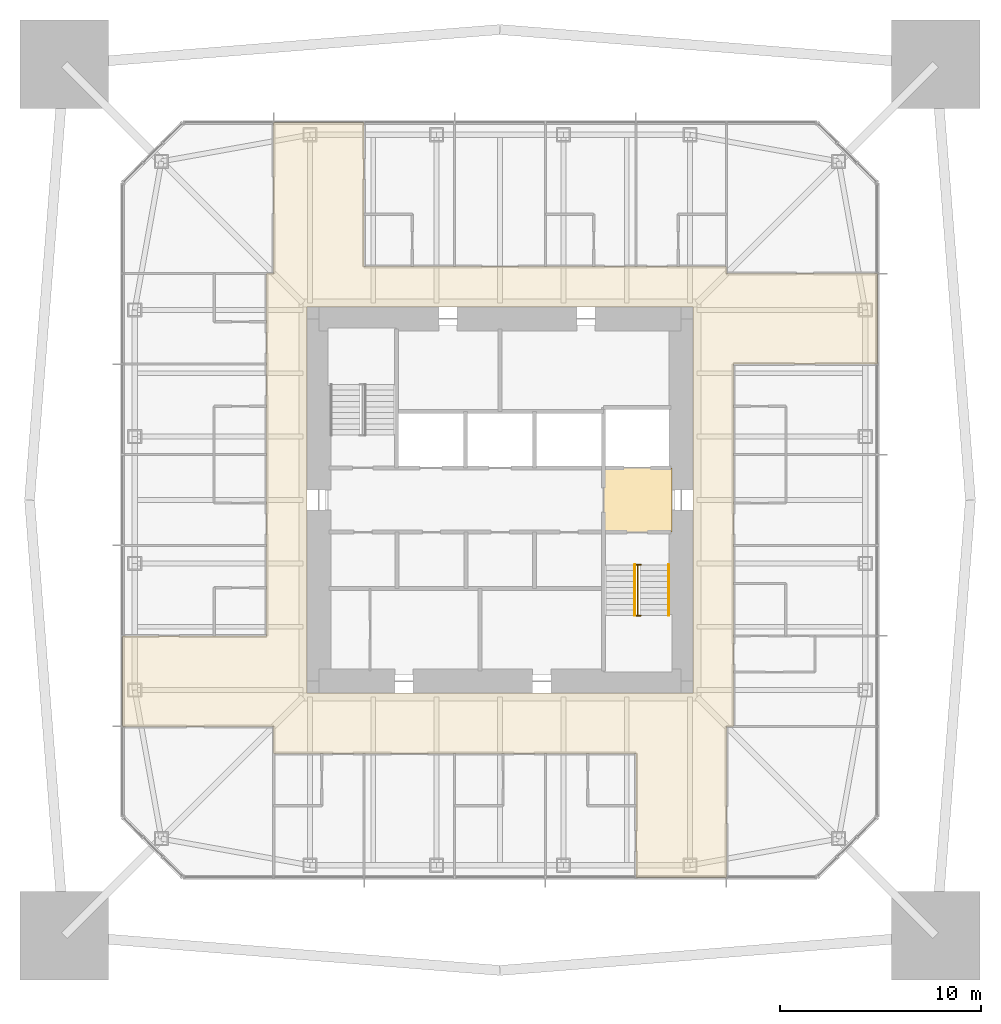
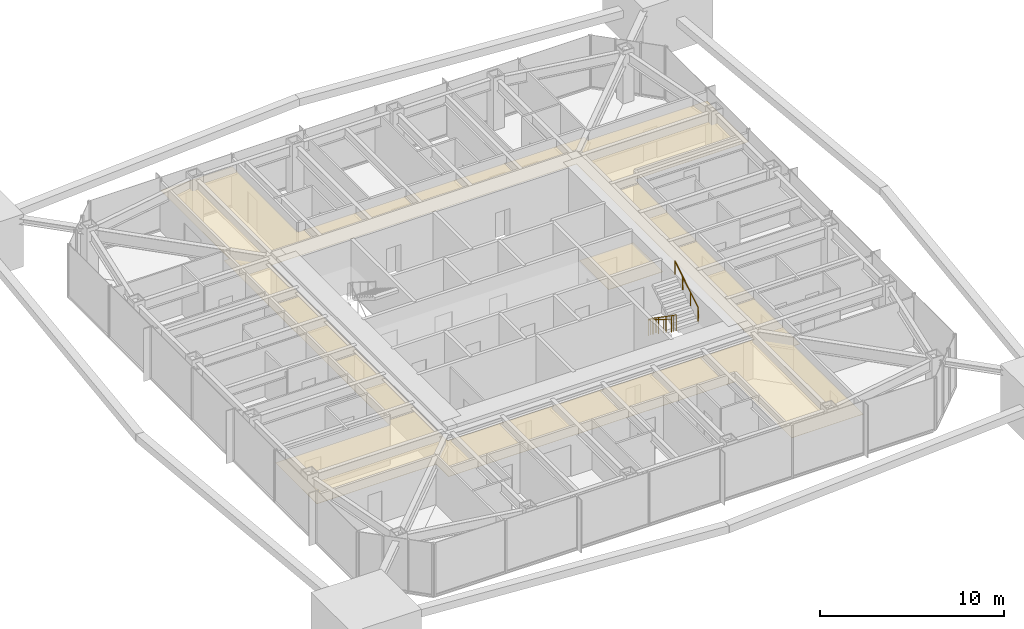
# One storey, part 12 of 13: 3 railings, 2 coverings.
"""IFC4 building model written with IfcOpenShell, lengths in metres."""

from ifc_helpers import new_model, si_unit, direction, frame, origin, origin_2d, place, context, subcontext, project, spatial, polyline, circle, outline, extrude, material, layer, layer_set, constituent, constituent_set, type_object, element, save


model = new_model("IFC4")

# Units and contexts
model_context = context("Model", 3, precision=1e-05, world=origin(), true_north=direction((0.0, 1.0)))
body_context = subcontext(model_context, "Body", "Model", "MODEL_VIEW")
ifc_project = project(units=[si_unit("LENGTHUNIT", "METRE"), si_unit("AREAUNIT", "SQUARE_METRE"), si_unit("VOLUMEUNIT", "CUBIC_METRE"), si_unit("PLANEANGLEUNIT", "RADIAN"), si_unit("MASSUNIT", "GRAM", prefix="KILO")], contexts=[model_context])

# Site, building, storey
site_placement = place(None, origin())
site = spatial("IfcSite", under=ifc_project, at=site_placement, CompositionType="ELEMENT")
building_placement = place(site_placement, origin())
building = spatial("IfcBuilding", under=site, at=building_placement, Name="Iwan Alto Co-Living Towers", CompositionType="ELEMENT")
storey_placement = place(building_placement, frame((0.0, 0.0, 160.0)))
storey = spatial("IfcBuildingStorey", under=building, at=storey_placement, Name="L43", CompositionType="ELEMENT", Elevation=160.0)

# Covering
ifc_material_1 = material(Name="Mineral fibre acoustic tiles on steel grid", Category="steel")
ifc_layer_1 = layer(ifc_material_1, 0.02001953125)
ifc_layer_set_1 = layer_set([ifc_layer_1], Name="ACOUSTIC TILE CEILING 20")
covering_type_1 = type_object("IfcCoveringType", Name="ACOUSTIC TILE CEILING 20", PredefinedType="CEILING", material=ifc_layer_set_1)
covering_1_placement = place(storey_placement, frame((0.0, 0.0, 2.60009765625)))
element("IfcCovering", 1, at=covering_1_placement, inside=storey, type_object=covering_type_1, Name="Ceiling Firefighting lobby L43", PredefinedType="CEILING", context=body_context, shape_type="SweptSolid", body=[
    extrude(outline(polyline([(5.14990234375, -1.60009765625), (5.14990234375, 1.60009765625), (8.550048828125, 1.60009765625), (8.550048828125, -1.60009765625), (5.14990234375, -1.60009765625)])), origin(), (0.0, 0.0, 1.0), 0.02001953125),
])

# Railings
ifc_material_2 = material(Name="Steel ASTM A500 Gr C", Category="steel")
ifc_constituent_1 = constituent(ifc_material_2, Name="Rails and posts", Category="Framing")
ifc_material_3 = material(Name="Steel ASTM A36", Category="steel")
ifc_constituent_2 = constituent(ifc_material_3, Name="Bar infill", Category="Infill")
ifc_constituent_set = constituent_set(constituents=[ifc_constituent_1, ifc_constituent_2], Name="STAIR GUARD 1100")
railing_type_1 = type_object("IfcRailingType", Name="STAIR GUARD 1100", PredefinedType="GUARDRAIL", material=ifc_constituent_set)
railing_1_placement = place(storey_placement, frame((6.85009765625, -3.219970703125, 0.0)))
element("IfcRailing", 2, at=railing_1_placement, inside=storey, type_object=railing_type_1, Name="Stair T1-S2 well guard L43", PredefinedType="GUARDRAIL", context=body_context, shape_type="SweptSolid", body=[
    extrude(circle(Radius=0.02392578125, at=origin_2d()), frame((0.0, 0.0, 1.076171875), z_axis=(0.0, -0.821372036852, 0.570392826987), x_axis=(1.0, 0.0, 0.0)), (0.0, 0.0, 1.0), 3.068115234375),
    extrude(circle(Radius=0.02392578125, at=origin_2d()), frame((-0.150146484375, 0.0, 1.076171875), z_axis=(1.0, 0.0, 0.0), x_axis=(0.0, 1.0, 0.0)), (0.0, 0.0, 1.0), 0.300048828125),
    extrude(circle(Radius=0.02392578125, at=origin_2d()), frame((-0.150146484375, -2.52001953125, 2.826171875), z_axis=(1.0, 0.0, 0.0), x_axis=(0.0, 1.0, 0.0)), (0.0, 0.0, 1.0), 0.300048828125),
    extrude(circle(Radius=0.02099609375, at=origin_2d()), origin(), (0.0, 0.0, 1.0), 1.052001953125),
    extrude(circle(Radius=0.02099609375, at=origin_2d()), frame((0.0, -0.840087890625, 0.583251953125)), (0.0, 0.0, 1.0), 1.052001953125),
    extrude(circle(Radius=0.02099609375, at=origin_2d()), frame((0.0, -1.679931640625, 1.166748046875)), (0.0, 0.0, 1.0), 1.052001953125),
    extrude(circle(Radius=0.02099609375, at=origin_2d()), frame((0.0, -2.52001953125, 1.75)), (0.0, 0.0, 1.0), 1.052001953125),
    extrude(circle(Radius=0.02099609375, at=origin_2d()), frame((-0.150146484375, 0.0, 0.0)), (0.0, 0.0, 1.0), 1.052001953125),
    extrude(circle(Radius=0.02099609375, at=origin_2d()), frame((0.14990234375, 0.0, 0.0)), (0.0, 0.0, 1.0), 1.052001953125),
    extrude(circle(Radius=0.02099609375, at=origin_2d()), frame((-0.150146484375, -2.52001953125, 1.75)), (0.0, 0.0, 1.0), 1.052001953125),
    extrude(circle(Radius=0.02099609375, at=origin_2d()), frame((0.14990234375, -2.52001953125, 1.75)), (0.0, 0.0, 1.0), 1.052001953125),
])
ifc_material_4 = material(Name="Steel ASTM A500 Gr C", Category="steel")
railing_type_2 = type_object("IfcRailingType", Name="STAIR HANDRAIL 900", PredefinedType="HANDRAIL", material=ifc_material_4)
railing_2_placement = place(storey_placement, frame((6.699951171875, -3.219970703125, 0.175048828125)))
element("IfcRailing", 3, at=railing_2_placement, inside=storey, type_object=railing_type_2, Name="Stair T1-S2 handrail 1 L43", PredefinedType="HANDRAIL", context=body_context, shape_type="SweptSolid", body=[
    extrude(circle(Radius=0.02392578125, at=origin_2d()), frame((0.0, 0.0, 0.8759765625), z_axis=(0.0, -0.848007534815, 0.529984170421), x_axis=(1.0, 0.0, 0.0)), (0.0, 0.0, 1.0), 2.9716796875),
    extrude(circle(Radius=0.02099609375, at=origin_2d()), origin(), (0.0, 0.0, 1.0), 0.851806640625),
    extrude(circle(Radius=0.02099609375, at=origin_2d()), frame((0.0, -0.840087890625, 0.52490234375)), (0.0, 0.0, 1.0), 0.851806640625),
    extrude(circle(Radius=0.02099609375, at=origin_2d()), frame((0.0, -1.679931640625, 1.050048828125)), (0.0, 0.0, 1.0), 0.851806640625),
    extrude(circle(Radius=0.02099609375, at=origin_2d()), frame((0.0, -2.52001953125, 1.574951171875)), (0.0, 0.0, 1.0), 0.851806640625),
])
railing_3_placement = place(storey_placement, frame((8.3798828125, -5.739990234375, 1.925048828125)))
element("IfcRailing", 4, at=railing_3_placement, inside=storey, type_object=railing_type_2, Name="Stair T1-S2 handrail 2 L43", PredefinedType="HANDRAIL", context=body_context, shape_type="SweptSolid", body=[
    extrude(circle(Radius=0.02392578125, at=origin_2d()), frame((0.0, 0.0, 0.8759765625), z_axis=(0.0, 0.848007534815, 0.529984170421), x_axis=(-1.0, 0.0, 0.0)), (0.0, 0.0, 1.0), 2.9716796875),
    extrude(circle(Radius=0.02099609375, at=origin_2d()), origin(), (0.0, 0.0, 1.0), 0.851806640625),
    extrude(circle(Radius=0.02099609375, at=origin_2d()), frame((0.0, 0.840087890625, 0.52490234375)), (0.0, 0.0, 1.0), 0.851806640625),
    extrude(circle(Radius=0.02099609375, at=origin_2d()), frame((0.0, 1.679931640625, 1.050048828125)), (0.0, 0.0, 1.0), 0.851806640625),
    extrude(circle(Radius=0.02099609375, at=origin_2d()), frame((0.0, 2.52001953125, 1.574951171875)), (0.0, 0.0, 1.0), 0.851806640625),
])

# Covering
ifc_material_5 = material(Name="Gypsum plasterboard on steel grid", Category="steel")
ifc_layer_2 = layer(ifc_material_5, 0.014892578125)
ifc_layer_set_2 = layer_set([ifc_layer_2], Name="SUSPENDED PLASTERBOARD CEILING 15")
covering_type_2 = type_object("IfcCoveringType", Name="SUSPENDED PLASTERBOARD CEILING 15", PredefinedType="CEILING", material=ifc_layer_set_2)
covering_2_placement = place(storey_placement, frame((0.0, 0.0, 2.60009765625)))
element("IfcCovering", 5, at=covering_2_placement, inside=storey, type_object=covering_type_2, Name="Ceiling Corridor L43", PredefinedType="CEILING", context=body_context, shape_type="SweptSolid", body=[
    extrude(outline(polyline([(-18.75, -6.75), (-11.60009765625, -6.75), (-11.60009765625, 11.25), (-11.25, 11.25), (-11.25, 11.60009765625), (-11.25, 18.75), (-6.75, 18.75), (-6.75, 11.60009765625), (11.25, 11.60009765625), (11.25, 11.25), (11.60009765625, 11.25), (18.75, 11.25), (18.75, 6.75), (11.60009765625, 6.75), (11.60009765625, -11.25), (11.25, -11.25), (11.25, -12.60009765625), (11.25, -18.75), (6.75, -18.75), (6.75, -12.60009765625), (-11.25, -12.60009765625), (-11.25, -11.25), (-11.60009765625, -11.25), (-18.75, -11.25), (-18.75, -6.75)]), holes=[polyline([(9.60009765625, 9.60009765625), (-9.60009765625, 9.60009765625), (-9.60009765625, -9.60009765625), (9.60009765625, -9.60009765625), (9.60009765625, 9.60009765625)])]), origin(), (0.0, 0.0, 1.0), 0.014892578125),
])

save(model, "model.ifc")
